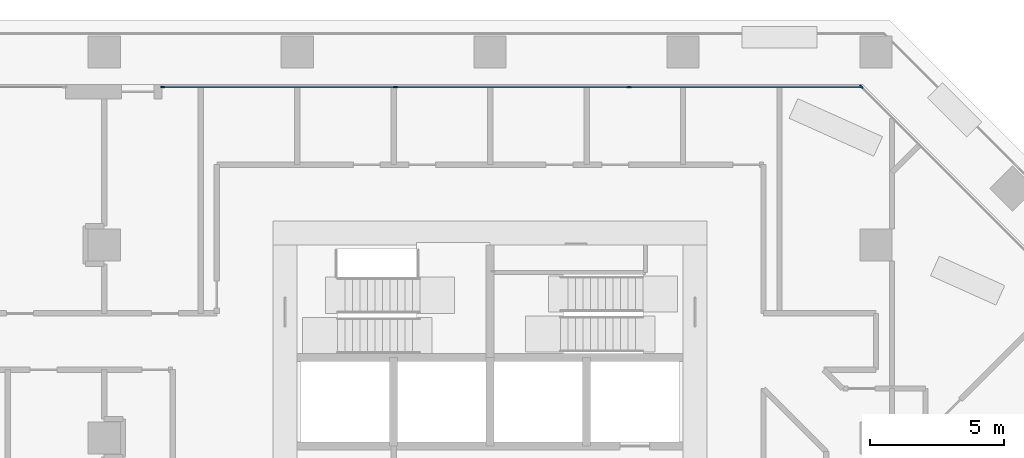
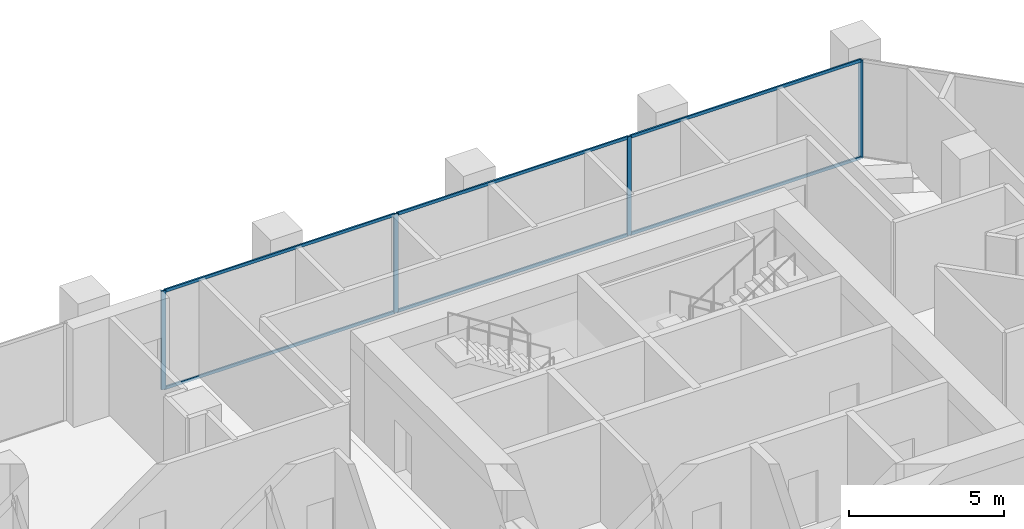
# One storey, part 7 of 24: 10 members, 2 elements without a shape of their own.
"""IFC4 building model written with IfcOpenShell, lengths in metres."""

from ifc_helpers import new_model, si_unit, direction, frame, origin, origin_2d, place, context, subcontext, project, spatial, rectangle, extrude, material, material_profile, profile_set, type_object, element, aggregate, save


model = new_model("IFC4")

# Units and contexts
model_context = context("Model", 3, precision=1e-05, world=origin(), true_north=direction((0.0, 1.0)))
body_context = subcontext(model_context, "Body", "Model", "MODEL_VIEW")
ifc_project = project(units=[si_unit("LENGTHUNIT", "METRE"), si_unit("AREAUNIT", "SQUARE_METRE"), si_unit("VOLUMEUNIT", "CUBIC_METRE"), si_unit("PLANEANGLEUNIT", "RADIAN"), si_unit("MASSUNIT", "GRAM", prefix="KILO")], contexts=[model_context])

# Site, building, storey
site_placement = place(None, origin())
site = spatial("IfcSite", under=ifc_project, at=site_placement, CompositionType="ELEMENT")
building_placement = place(site_placement, origin())
building = spatial("IfcBuilding", under=site, at=building_placement, Name="Windrow Commons", CompositionType="ELEMENT")
storey_placement = place(building_placement, frame((0.0, 0.0, 77.0)))
storey = spatial("IfcBuildingStorey", under=building, at=storey_placement, Name="L20", CompositionType="ELEMENT", Elevation=77.0)

# Curtain wall, member
ifc_material_1 = material(Name="Clear laminated glass in Aluminium 6063-T6 anodised frame", Category="aluminium")
curtain_wall_type = type_object("IfcCurtainWallType", Name="Curtain wall CW2 sky lounge", PredefinedType="USERDEFINED", material=ifc_material_1)
placement = place(storey_placement, origin())
curtain_wall_1 = element("IfcCurtainWall", 1, at=placement, inside=storey, type_object=curtain_wall_type, Name="Curtain wall CW2 L20 3", ObjectType="UNITISED", PredefinedType="USERDEFINED")
ifc_material_2 = material(Name="Aluminium 6063-T6", Category="aluminium")
ifc_material_profile_1 = material_profile(ifc_material_2, rectangle(XDim=0.06, YDim=0.16, at=origin_2d()))
ifc_profile_set_1 = profile_set([ifc_material_profile_1], Name="Aluminium 6063-T6")
member_type_1 = type_object("IfcMemberType", Name="CW2 mullion 60x160", PredefinedType="MULLION", material=ifc_profile_set_1)
member_1_placement = place(storey_placement, frame((78.6534, 70.7081, 0.0), z_axis=(0.0, 0.0, 1.0), x_axis=(-0.7071067812, -0.7071067812, 0.0)))
member_1 = element("IfcMember", 2, at=member_1_placement, type_object=member_type_1, Name="CW2 mullion 6", PredefinedType="MULLION", context=body_context, shape_type="SweptSolid", body=[
    extrude(rectangle(XDim=0.06, YDim=0.16, at=origin_2d()), origin(), (0.0, 0.0, 1.0), 3.9),
])
aggregate(curtain_wall_1, [member_1])

# Curtain wall, members
curtain_wall_2 = element("IfcCurtainWall", 3, at=placement, inside=storey, type_object=curtain_wall_type, Name="Curtain wall CW2 L20 4.1", ObjectType="UNITISED", PredefinedType="USERDEFINED")
member_2_placement = place(storey_placement, frame((69.9859, 70.7, 0.0), z_axis=(0.0, 0.0, 1.0), x_axis=(0.0, -1.0, 0.0)))
member_2 = element("IfcMember", 4, at=member_2_placement, type_object=member_type_1, Name="CW2 mullion 2", PredefinedType="MULLION", context=body_context, shape_type="SweptSolid", body=[
    extrude(rectangle(XDim=0.06, YDim=0.16, at=origin_2d()), origin(), (0.0, 0.0, 1.0), 3.9),
])
member_3_placement = place(storey_placement, frame((61.2689, 70.7, 0.0), z_axis=(0.0, 0.0, 1.0), x_axis=(0.0, -1.0, 0.0)))
member_3 = element("IfcMember", 5, at=member_3_placement, type_object=member_type_1, Name="CW2 mullion 3", PredefinedType="MULLION", context=body_context, shape_type="SweptSolid", body=[
    extrude(rectangle(XDim=0.06, YDim=0.16, at=origin_2d()), origin(), (0.0, 0.0, 1.0), 3.9),
])
member_4_placement = place(storey_placement, frame((52.5819, 70.7, 0.0), z_axis=(0.0, 0.0, 1.0), x_axis=(0.0, -1.0, 0.0)))
member_4 = element("IfcMember", 6, at=member_4_placement, type_object=member_type_1, Name="CW2 mullion 4", PredefinedType="MULLION", context=body_context, shape_type="SweptSolid", body=[
    extrude(rectangle(XDim=0.06, YDim=0.16, at=origin_2d()), origin(), (0.0, 0.0, 1.0), 3.9),
])
ifc_material_3 = material(Name="Aluminium 6063-T6", Category="aluminium")
ifc_material_profile_2 = material_profile(ifc_material_3, rectangle(XDim=0.06, YDim=0.12, at=origin_2d()))
ifc_profile_set_2 = profile_set([ifc_material_profile_2], Name="Aluminium 6063-T6")
member_type_2 = type_object("IfcMemberType", Name="CW2 transom 60x120", PredefinedType="USERDEFINED", material=ifc_profile_set_2)
member_5_placement = place(storey_placement, frame((78.6429, 70.7, 0.03), z_axis=(-1.0, 0.0, 0.0), x_axis=(0.0, -1.0, 0.0)))
member_5 = element("IfcMember", 7, at=member_5_placement, type_object=member_type_2, Name="CW2 transom 1.1", ObjectType="TRANSOM", PredefinedType="USERDEFINED", context=body_context, shape_type="SweptSolid", body=[
    extrude(rectangle(XDim=0.06, YDim=0.12, at=origin_2d()), origin(), (0.0, 0.0, 1.0), 8.627),
])
member_6_placement = place(storey_placement, frame((78.6429, 70.7, 3.87), z_axis=(-1.0, 0.0, 0.0), x_axis=(0.0, -1.0, 0.0)))
member_6 = element("IfcMember", 8, at=member_6_placement, type_object=member_type_2, Name="CW2 transom 1.2", ObjectType="TRANSOM", PredefinedType="USERDEFINED", context=body_context, shape_type="SweptSolid", body=[
    extrude(rectangle(XDim=0.06, YDim=0.12, at=origin_2d()), origin(), (0.0, 0.0, 1.0), 8.627),
])
member_7_placement = place(storey_placement, frame((69.9559, 70.7, 0.03), z_axis=(-1.0, 0.0, 0.0), x_axis=(0.0, -1.0, 0.0)))
member_7 = element("IfcMember", 9, at=member_7_placement, type_object=member_type_2, Name="CW2 transom 2.1", ObjectType="TRANSOM", PredefinedType="USERDEFINED", context=body_context, shape_type="SweptSolid", body=[
    extrude(rectangle(XDim=0.06, YDim=0.12, at=origin_2d()), origin(), (0.0, 0.0, 1.0), 8.657),
])
member_8_placement = place(storey_placement, frame((69.9559, 70.7, 3.87), z_axis=(-1.0, 0.0, 0.0), x_axis=(0.0, -1.0, 0.0)))
member_8 = element("IfcMember", 10, at=member_8_placement, type_object=member_type_2, Name="CW2 transom 2.2", ObjectType="TRANSOM", PredefinedType="USERDEFINED", context=body_context, shape_type="SweptSolid", body=[
    extrude(rectangle(XDim=0.06, YDim=0.12, at=origin_2d()), origin(), (0.0, 0.0, 1.0), 8.657),
])
member_9_placement = place(storey_placement, frame((61.2389, 70.7, 0.03), z_axis=(-1.0, 0.0, 0.0), x_axis=(0.0, -1.0, 0.0)))
member_9 = element("IfcMember", 11, at=member_9_placement, type_object=member_type_2, Name="CW2 transom 3.1", ObjectType="TRANSOM", PredefinedType="USERDEFINED", context=body_context, shape_type="SweptSolid", body=[
    extrude(rectangle(XDim=0.06, YDim=0.12, at=origin_2d()), origin(), (0.0, 0.0, 1.0), 8.627),
])
member_10_placement = place(storey_placement, frame((61.2389, 70.7, 3.87), z_axis=(-1.0, 0.0, 0.0), x_axis=(0.0, -1.0, 0.0)))
member_10 = element("IfcMember", 12, at=member_10_placement, type_object=member_type_2, Name="CW2 transom 3.2", ObjectType="TRANSOM", PredefinedType="USERDEFINED", context=body_context, shape_type="SweptSolid", body=[
    extrude(rectangle(XDim=0.06, YDim=0.12, at=origin_2d()), origin(), (0.0, 0.0, 1.0), 8.627),
])
aggregate(curtain_wall_2, [member_2, member_3, member_4, member_5, member_6, member_7, member_8, member_9, member_10])

save(model, "model.ifc")
